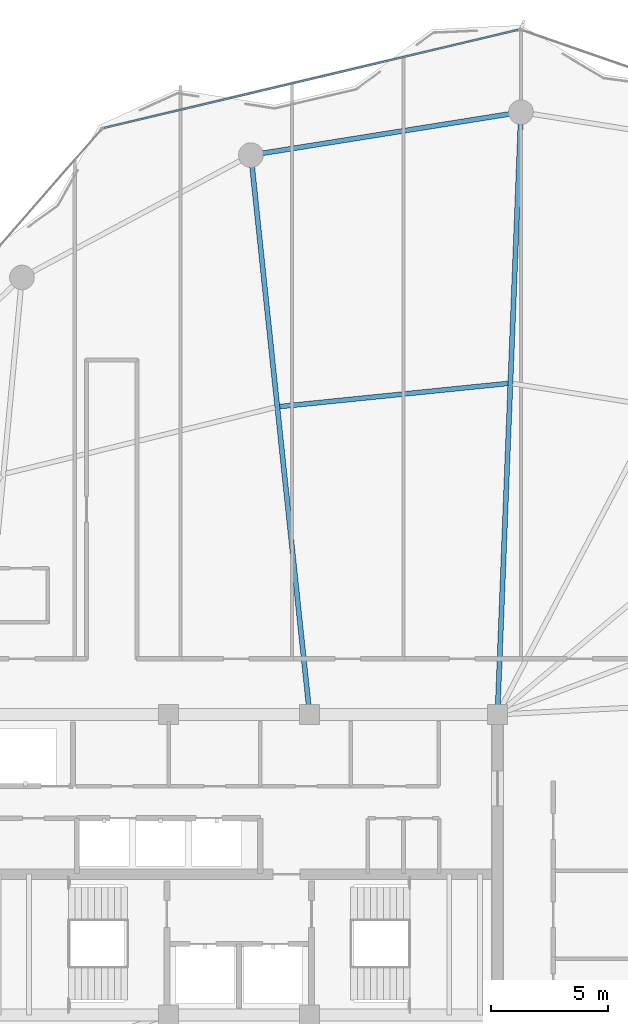
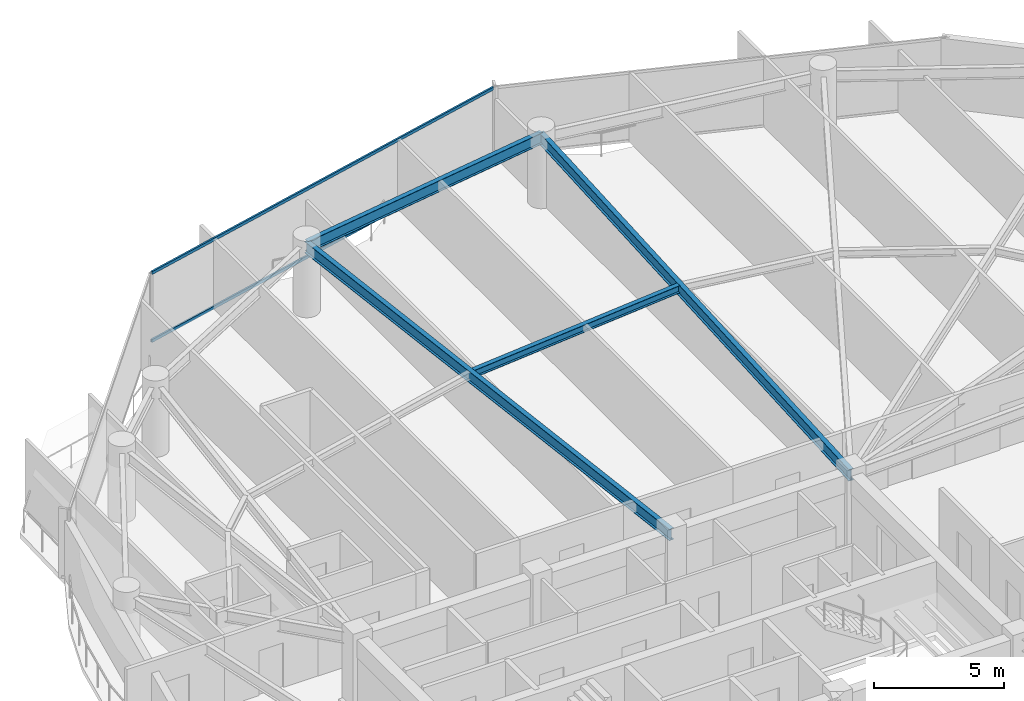
# One storey, part 18 of 29: 4 beams, 2 members, 1 element without a shape of its own.
"""IFC4 building model written with IfcOpenShell, lengths in metres."""

from ifc_helpers import new_model, si_unit, direction, frame, origin, origin_2d, place, context, subcontext, project, spatial, hollow_rectangle, i_section, extrude, material, layer, layer_set, material_profile, profile_set, type_object, element, aggregate, save


model = new_model("IFC4")

# Units and contexts
model_context = context("Model", 3, precision=1e-05, world=origin(), true_north=direction((0.0, 1.0)))
body_context = subcontext(model_context, "Body", "Model", "MODEL_VIEW")
ifc_project = project(units=[si_unit("LENGTHUNIT", "METRE"), si_unit("AREAUNIT", "SQUARE_METRE"), si_unit("VOLUMEUNIT", "CUBIC_METRE"), si_unit("PLANEANGLEUNIT", "RADIAN"), si_unit("MASSUNIT", "GRAM", prefix="KILO")], contexts=[model_context])

# Site, building, storey
site_placement = place(None, origin())
site = spatial("IfcSite", under=ifc_project, at=site_placement, CompositionType="ELEMENT")
building_placement = place(site_placement, origin())
building = spatial("IfcBuilding", under=site, at=building_placement, Name="Kazevale Care Tower and Concert Hall", CompositionType="ELEMENT")
storey_placement = place(building_placement, frame((0.0, 0.0, 249.60009765625)))
storey = spatial("IfcBuildingStorey", under=building, at=storey_placement, Name="L66", CompositionType="ELEMENT", Elevation=249.60009765625)

# Curtain wall, members
ifc_material_1 = material(Name="Aluminium 6063-T6 and Low-E Glass", Category="aluminium")
ifc_layer = layer(ifc_material_1, 0.179931640625)
ifc_layer_set = layer_set([ifc_layer], Name="Aluminium 6063-T6 and Low-E Glass")
curtain_wall_type = type_object("IfcCurtainWallType", Name="Waist & Upper Residential Curtain Wall CW-4", PredefinedType="NOTDEFINED", material=ifc_layer_set)
curtain_wall_placement = place(storey_placement, origin())
curtain_wall = element("IfcCurtainWall", 1, at=curtain_wall_placement, inside=storey, type_object=curtain_wall_type, Name="cw:L66:f15", PredefinedType="NOTDEFINED")
ifc_material_2 = material(Name="Aluminium 6063-T6", Category="aluminium")
ifc_material_profile_1 = material_profile(ifc_material_2, hollow_rectangle(XDim=0.080078125, YDim=0.139892578125, WallThickness=0.00390625, at=origin_2d()), Name="ALU80x140x4")
ifc_profile_set_1 = profile_set([ifc_material_profile_1], Name="Aluminium 6063-T6")
member_type = type_object("IfcMemberType", Name="CW-4 Transom ALU80x140x4", PredefinedType="USERDEFINED", material=ifc_profile_set_1)
member_1_placement = place(storey_placement, frame((27.249755859375, 61.37548828125, 0.039794921875), z_axis=(0.973087923042, 0.2304341425, 0.0), x_axis=(-0.2304341425, 0.973087923042, 0.0)))
member_1 = element("IfcMember", 2, at=member_1_placement, type_object=member_type, Name="CW-4 transom 1.1", ObjectType="TRANSOM", PredefinedType="USERDEFINED", context=body_context, shape_type="SweptSolid", body=[
    extrude(hollow_rectangle(XDim=0.080078125, YDim=0.139892578125, WallThickness=0.00390625, at=origin_2d()), origin(), (0.0, 0.0, 1.0), 18.114013671875),
])
member_2_placement = place(storey_placement, frame((27.249755859375, 61.37548828125, 3.239990234375), z_axis=(0.973087923042, 0.2304341425, 0.0), x_axis=(-0.2304341425, 0.973087923042, 0.0)))
member_2 = element("IfcMember", 3, at=member_2_placement, type_object=member_type, Name="CW-4 transom 1.2", ObjectType="TRANSOM", PredefinedType="USERDEFINED", context=body_context, shape_type="SweptSolid", body=[
    extrude(hollow_rectangle(XDim=0.080078125, YDim=0.139892578125, WallThickness=0.00390625, at=origin_2d()), origin(), (0.0, 0.0, 1.0), 18.114013671875),
])
aggregate(curtain_wall, [member_1, member_2])

# Beams
ifc_material_3 = material(Name="Steel ASTM A572 Gr 50", Category="steel")
ifc_material_profile_2 = material_profile(ifc_material_3, i_section(OverallWidth=0.2119140625, OverallDepth=0.5439453125, WebThickness=0.01318359375, FlangeThickness=0.021240234375, at=origin_2d()), Name="W530x123")
ifc_profile_set_2 = profile_set([ifc_material_profile_2], Name="Steel ASTM A572 Gr 50")
beam_type_1 = type_object("IfcBeamType", Name="Radial Floor Girder W530x123", PredefinedType="BEAM", material=ifc_profile_set_2)
beam_1_placement = place(storey_placement, frame((44.0, 36.39990234375, 3.0078125), z_axis=(0.03895653799, 0.999240905962, 0.0), x_axis=(-0.999240905962, 0.03895653799, 0.0)))
element("IfcBeam", 4, at=beam_1_placement, inside=storey, type_object=beam_type_1, Name="beam:L66:rad:05", PredefinedType="BEAM", context=body_context, shape_type="SweptSolid", body=[
    extrude(i_section(OverallWidth=0.2119140625, OverallDepth=0.5439453125, WebThickness=0.01318359375, FlangeThickness=0.021240234375, at=origin_2d()), origin(), (0.0, 0.0, 1.0), 25.669677734375),
])
beam_2_placement = place(storey_placement, frame((36.0, 36.39990234375, 3.0078125), z_axis=(-0.104380207012, 0.994537466556, 0.0), x_axis=(-0.994537466556, -0.104380207012, 0.0)))
element("IfcBeam", 5, at=beam_2_placement, inside=storey, type_object=beam_type_1, Name="beam:L66:rad:06", PredefinedType="BEAM", context=body_context, shape_type="SweptSolid", body=[
    extrude(i_section(OverallWidth=0.2119140625, OverallDepth=0.5439453125, WebThickness=0.01318359375, FlangeThickness=0.021240234375, at=origin_2d()), origin(), (0.0, 0.0, 1.0), 23.950927734375),
])
ifc_material_profile_3 = material_profile(ifc_material_3, i_section(OverallWidth=0.205078125, OverallDepth=0.35400390625, WebThickness=0.009521484375, FlangeThickness=0.016845703125, at=origin_2d()), Name="W360x79")
ifc_profile_set_3 = profile_set([ifc_material_profile_3], Name="Steel ASTM A572 Gr 50")
beam_type_2 = type_object("IfcBeamType", Name="Secondary Floor Joist W360x79", PredefinedType="JOIST", material=ifc_profile_set_3)
beam_3_placement = place(storey_placement, frame((44.446044921875, 50.4970703125, 3.102783203125), z_axis=(-0.994900388447, -0.10086236696, 0.0), x_axis=(0.10086236696, -0.994900388447, 0.0)))
element("IfcBeam", 6, at=beam_3_placement, inside=storey, type_object=beam_type_2, Name="beam:L66:joist:05", PredefinedType="JOIST", context=body_context, shape_type="SweptSolid", body=[
    extrude(i_section(OverallWidth=0.205078125, OverallDepth=0.35400390625, WebThickness=0.009521484375, FlangeThickness=0.016845703125, at=origin_2d()), origin(), (0.0, 0.0, 1.0), 9.766845703125),
])
ifc_material_profile_4 = material_profile(ifc_material_3, i_section(OverallWidth=0.208984375, OverallDepth=0.532958984375, WebThickness=0.01025390625, FlangeThickness=0.015625, at=origin_2d()), Name="W530x92")
ifc_profile_set_4 = profile_set([ifc_material_profile_4], Name="Steel ASTM A572 Gr 50")
beam_type_3 = type_object("IfcBeamType", Name="Upper Ring Beam W530x92", PredefinedType="BEAM", material=ifc_profile_set_4)
beam_4_placement = place(storey_placement, frame((45.0, 62.050048828125, 3.013427734375), z_axis=(-0.987573207584, -0.15715966296, 0.0), x_axis=(0.15715966296, -0.987573207584, 0.0)))
element("IfcBeam", 7, at=beam_4_placement, inside=storey, type_object=beam_type_3, Name="beam:L66:ring:05", PredefinedType="BEAM", context=body_context, shape_type="SweptSolid", body=[
    extrude(i_section(OverallWidth=0.208984375, OverallDepth=0.532958984375, WebThickness=0.01025390625, FlangeThickness=0.015625, at=origin_2d()), origin(), (0.0, 0.0, 1.0), 11.644775390625),
])

save(model, "model.ifc")
